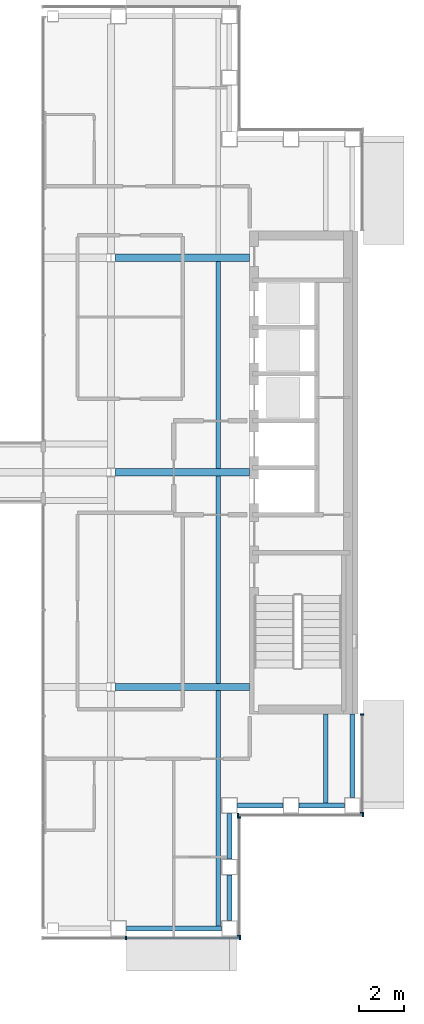
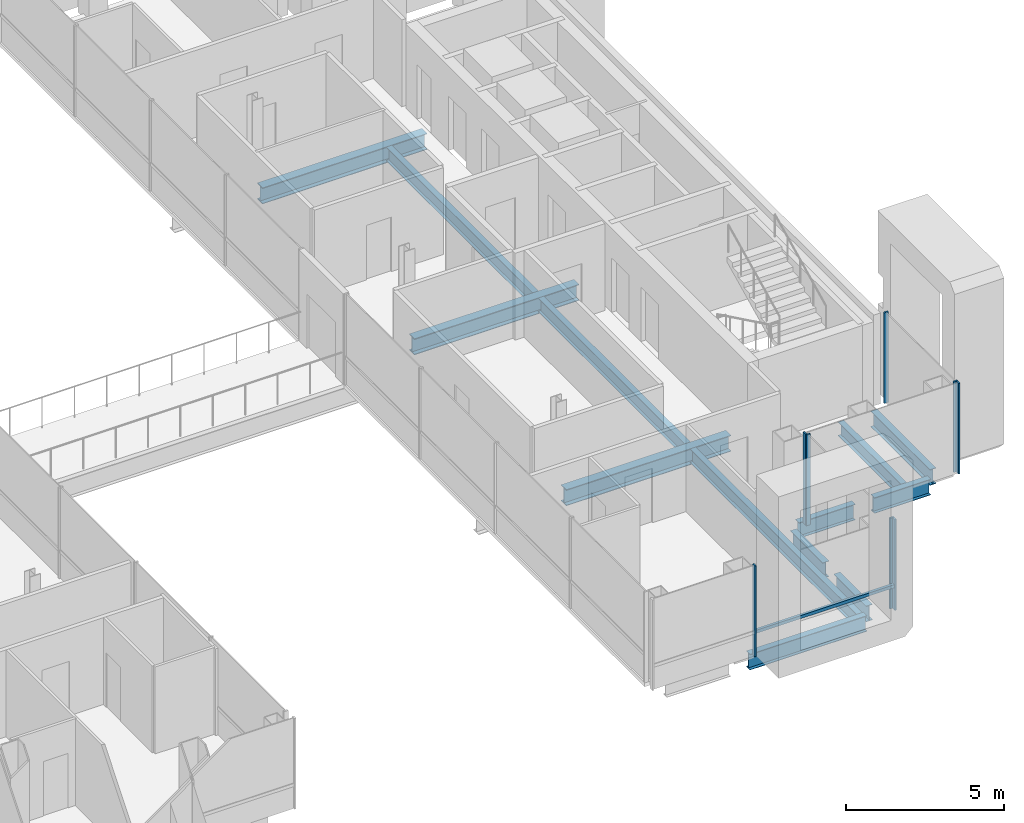
# One storey, part 6 of 17: 13 beams, 9 members, 4 elements without a shape of their own.
"""IFC4 building model written with IfcOpenShell, lengths in metres."""

from ifc_helpers import new_model, si_unit, direction, frame, origin, origin_2d, place, context, subcontext, project, spatial, rectangle, i_section, extrude, material, material_profile, profile_set, type_object, element, aggregate, save


model = new_model("IFC4")

# Units and contexts
model_context = context("Model", 3, precision=1e-05, world=origin(), true_north=direction((0.0, 1.0)))
body_context = subcontext(model_context, "Body", "Model", "MODEL_VIEW")
ifc_project = project(units=[si_unit("LENGTHUNIT", "METRE"), si_unit("AREAUNIT", "SQUARE_METRE"), si_unit("VOLUMEUNIT", "CUBIC_METRE"), si_unit("PLANEANGLEUNIT", "RADIAN"), si_unit("MASSUNIT", "GRAM", prefix="KILO")], contexts=[model_context])

# Site, building, storey
site_placement = place(None, origin())
site = spatial("IfcSite", under=ifc_project, at=site_placement, CompositionType="ELEMENT")
building_placement = place(site_placement, origin())
building = spatial("IfcBuilding", under=site, at=building_placement, Name="Cobrizo Arcos Hotel Tower", CompositionType="ELEMENT")
storey_placement = place(building_placement, frame((0.0, 0.0, 226.0)))
storey = spatial("IfcBuildingStorey", under=building, at=storey_placement, Name="L59", CompositionType="ELEMENT", Elevation=226.0)

# Curtain wall, members
ifc_material_1 = material(Name="Aluminium 6063-T6 anodised bronze", Category="aluminium")
curtain_wall_type = type_object("IfcCurtainWallType", Name="CW-A guest facade", PredefinedType="NOTDEFINED", material=ifc_material_1)
curtain_wall_1_placement = place(storey_placement, origin())
curtain_wall_1 = element("IfcCurtainWall", 1, at=curtain_wall_1_placement, inside=storey, type_object=curtain_wall_type, Name="CW-A L59 S face", PredefinedType="NOTDEFINED")
ifc_material_profile_1 = material_profile(ifc_material_1, rectangle(XDim=0.14990234375, YDim=0.06005859375, at=origin_2d()), Name="CW-A mullion 150x60")
ifc_profile_set_1 = profile_set([ifc_material_profile_1], Name="Aluminium 6063-T6 anodised bronze")
member_type_1 = type_object("IfcMemberType", Name="CW-A mullion 150x60", PredefinedType="MULLION", material=ifc_profile_set_1)
member_1_placement = place(storey_placement, frame((10.2666015625, -20.824951171875, 0.0), z_axis=(0.0, 0.0, 1.0), x_axis=(0.0, -1.0, 0.0)))
member_1 = element("IfcMember", 2, at=member_1_placement, type_object=member_type_1, Name="CW-A mullion 2", PredefinedType="MULLION", context=body_context, shape_type="SweptSolid", body=[
    extrude(rectangle(XDim=0.14990234375, YDim=0.06005859375, at=origin_2d()), origin(), (0.0, 0.0, 1.0), 3.5),
])
member_2_placement = place(storey_placement, frame((15.3701171875, -20.824951171875, 0.0), z_axis=(0.0, 0.0, 1.0), x_axis=(0.0, -1.0, 0.0)))
member_2 = element("IfcMember", 3, at=member_2_placement, type_object=member_type_1, Name="CW-A mullion 3", PredefinedType="MULLION", context=body_context, shape_type="SweptSolid", body=[
    extrude(rectangle(XDim=0.14990234375, YDim=0.06005859375, at=origin_2d()), origin(), (0.0, 0.0, 1.0), 3.5),
])

curtain_wall_2_placement = place(storey_placement, origin())
curtain_wall_2 = element("IfcCurtainWall", 4, at=curtain_wall_2_placement, inside=storey, type_object=curtain_wall_type, Name="CW-A L59 E face", PredefinedType="NOTDEFINED")
member_3_placement = place(storey_placement, frame((15.324951171875, -20.719970703125, 0.0), z_axis=(0.0, 0.0, 1.0), x_axis=(1.0, 0.0, 0.0)))
member_3 = element("IfcMember", 5, at=member_3_placement, type_object=member_type_1, Name="CW-A mullion 1", PredefinedType="MULLION", context=body_context, shape_type="SweptSolid", body=[
    extrude(rectangle(XDim=0.14990234375, YDim=0.06005859375, at=origin_2d()), origin(), (0.0, 0.0, 1.0), 3.5),
])
member_4_placement = place(storey_placement, frame((15.324951171875, -15.429931640625, 0.0), z_axis=(0.0, 0.0, 1.0), x_axis=(1.0, 0.0, 0.0)))
member_4 = element("IfcMember", 6, at=member_4_placement, type_object=member_type_1, Name="CW-A mullion 2", PredefinedType="MULLION", context=body_context, shape_type="SweptSolid", body=[
    extrude(rectangle(XDim=0.14990234375, YDim=0.06005859375, at=origin_2d()), origin(), (0.0, 0.0, 1.0), 3.5),
])
aggregate(curtain_wall_2, [member_3, member_4])

curtain_wall_3_placement = place(storey_placement, origin())
curtain_wall_3 = element("IfcCurtainWall", 7, at=curtain_wall_3_placement, inside=storey, type_object=curtain_wall_type, Name="CW-A L59 S face", PredefinedType="NOTDEFINED")
member_5_placement = place(storey_placement, frame((15.280029296875, -15.324951171875, 0.0), z_axis=(0.0, 0.0, 1.0), x_axis=(0.0, -1.0, 0.0)))
member_5 = element("IfcMember", 8, at=member_5_placement, type_object=member_type_1, Name="CW-A mullion 1", PredefinedType="MULLION", context=body_context, shape_type="SweptSolid", body=[
    extrude(rectangle(XDim=0.14990234375, YDim=0.06005859375, at=origin_2d()), origin(), (0.0, 0.0, 1.0), 3.5),
])
member_6_placement = place(storey_placement, frame((20.8701171875, -15.324951171875, 0.0), z_axis=(0.0, 0.0, 1.0), x_axis=(0.0, -1.0, 0.0)))
member_6 = element("IfcMember", 9, at=member_6_placement, type_object=member_type_1, Name="CW-A mullion 2", PredefinedType="MULLION", context=body_context, shape_type="SweptSolid", body=[
    extrude(rectangle(XDim=0.14990234375, YDim=0.06005859375, at=origin_2d()), origin(), (0.0, 0.0, 1.0), 3.5),
])
aggregate(curtain_wall_3, [member_5, member_6])

curtain_wall_4_placement = place(storey_placement, origin())
curtain_wall_4 = element("IfcCurtainWall", 10, at=curtain_wall_4_placement, inside=storey, type_object=curtain_wall_type, Name="CW-A L59 E face", PredefinedType="NOTDEFINED")
member_7_placement = place(storey_placement, frame((20.824951171875, -15.219970703125, 0.0), z_axis=(0.0, 0.0, 1.0), x_axis=(1.0, 0.0, 0.0)))
member_7 = element("IfcMember", 11, at=member_7_placement, type_object=member_type_1, Name="CW-A mullion 1", PredefinedType="MULLION", context=body_context, shape_type="SweptSolid", body=[
    extrude(rectangle(XDim=0.14990234375, YDim=0.06005859375, at=origin_2d()), origin(), (0.0, 0.0, 1.0), 3.5),
])
member_8_placement = place(storey_placement, frame((20.824951171875, -10.830078125, 0.0), z_axis=(0.0, 0.0, 1.0), x_axis=(1.0, 0.0, 0.0)))
member_8 = element("IfcMember", 12, at=member_8_placement, type_object=member_type_1, Name="CW-A mullion 2", PredefinedType="MULLION", context=body_context, shape_type="SweptSolid", body=[
    extrude(rectangle(XDim=0.14990234375, YDim=0.06005859375, at=origin_2d()), origin(), (0.0, 0.0, 1.0), 3.5),
])
aggregate(curtain_wall_4, [member_7, member_8])

# Member
ifc_material_profile_2 = material_profile(ifc_material_1, rectangle(XDim=0.10009765625, YDim=0.1201171875, at=origin_2d()), Name="CW-A transom 120x100")
ifc_profile_set_2 = profile_set([ifc_material_profile_2], Name="Aluminium 6063-T6 anodised bronze")
member_type_2 = type_object("IfcMemberType", Name="CW-A transom 120x100", PredefinedType="USERDEFINED", material=ifc_profile_set_2)
member_9_placement = place(storey_placement, frame((10.296630859375, -20.824951171875, 0.929931640625), z_axis=(1.0, 0.0, 0.0), x_axis=(0.0, 1.0, 0.0)))
member_9 = element("IfcMember", 13, at=member_9_placement, type_object=member_type_2, Name="CW-A transom 1931", ObjectType="TRANSOM", PredefinedType="USERDEFINED", context=body_context, shape_type="SweptSolid", body=[
    extrude(rectangle(XDim=0.10009765625, YDim=0.1201171875, at=origin_2d()), origin(), (0.0, 0.0, 1.0), 5.04345703125),
])

aggregate(curtain_wall_1, [member_1, member_2, member_9])

# Beams
ifc_material_2 = material(Name="Steel ASTM A992 Grade 50", Category="steel")
ifc_material_profile_3 = material_profile(ifc_material_2, i_section(OverallWidth=0.209228515625, OverallDepth=0.533447265625, WebThickness=0.01025390625, FlangeThickness=0.015625, at=origin_2d()), Name="W21X62")
ifc_profile_set_3 = profile_set([ifc_material_profile_3], Name="Steel ASTM A992 Grade 50")
beam_type_1 = type_object("IfcBeamType", Name="W21X62 joist", PredefinedType="JOIST", material=ifc_profile_set_3)
beam_1_placement = place(storey_placement, frame((14.39990234375, -20.31005859375, -0.416748046875), z_axis=(0.0, 1.0, 0.0), x_axis=(-1.0, 0.0, 0.0)))
element("IfcBeam", 14, at=beam_1_placement, inside=storey, type_object=beam_type_1, Name="Floor joist J1, L59, no. 007", PredefinedType="JOIST", context=body_context, shape_type="SweptSolid", body=[
    extrude(i_section(OverallWidth=0.209228515625, OverallDepth=0.533447265625, WebThickness=0.01025390625, FlangeThickness=0.015625, at=origin_2d()), origin(), (0.0, 0.0, 1.0), 10.546142578125),
])
for number, where, z_axis, x_axis, name in (
    (15, (14.39990234375, -9.43603515625, -0.416748046875), (0.0, 1.0, 0.0), (-1.0, 0.0, 0.0), "Floor joist J1, L59, no. 008"),
    (16, (14.39990234375, 0.163818359375, -0.416748046875), (0.0, 1.0, 0.0), (-1.0, 0.0, 0.0), "Floor joist J1, L59, no. 009"),
):
    element("IfcBeam", number, at=place(storey_placement, frame(where, z_axis=z_axis, x_axis=x_axis)), inside=storey, type_object=beam_type_1, Name=name, PredefinedType="JOIST", context=body_context, shape_type="SweptSolid", body=[
        extrude(i_section(OverallWidth=0.209228515625, OverallDepth=0.533447265625, WebThickness=0.01025390625, FlangeThickness=0.015625, at=origin_2d()), origin(), (0.0, 0.0, 1.0), 9.272216796875),
    ])
beam_2_placement = place(storey_placement, frame((19.199951171875, -14.81005859375, -0.416748046875), z_axis=(0.0, 1.0, 0.0), x_axis=(-1.0, 0.0, 0.0)))
element("IfcBeam", 17, at=beam_2_placement, inside=storey, type_object=beam_type_1, Name="Floor joist J1, L59, no. 011", PredefinedType="JOIST", context=body_context, shape_type="SweptSolid", body=[
    extrude(i_section(OverallWidth=0.209228515625, OverallDepth=0.533447265625, WebThickness=0.01025390625, FlangeThickness=0.015625, at=origin_2d()), origin(), (0.0, 0.0, 1.0), 4.0),
])
ifc_material_profile_4 = material_profile(ifc_material_2, i_section(OverallWidth=0.32763671875, OverallDepth=0.622314453125, WebThickness=0.015380859375, FlangeThickness=0.0244140625, at=origin_2d()), Name="W24X131")
ifc_profile_set_4 = profile_set([ifc_material_profile_4], Name="Steel ASTM A992 Grade 50")
beam_type_2 = type_object("IfcBeamType", Name="W24X131 girder", PredefinedType="BEAM", material=ifc_profile_set_4)
for number, where, z_axis, x_axis, name in (
    (18, (9.78662109375, -9.60009765625, -0.461181640625), (1.0, 0.0, 0.0), (0.0, 1.0, 0.0), "Floor girder G1, L59, no. 004"),
    (19, (9.78662109375, 0.0, -0.461181640625), (1.0, 0.0, 0.0), (0.0, 1.0, 0.0), "Floor girder G1, L59, no. 007"),
    (20, (9.78662109375, 9.60009765625, -0.461181640625), (1.0, 0.0, 0.0), (0.0, 1.0, 0.0), "Floor girder G1, L59, no. 011"),
):
    element("IfcBeam", number, at=place(storey_placement, frame(where, z_axis=z_axis, x_axis=x_axis)), inside=storey, type_object=beam_type_2, Name=name, PredefinedType="BEAM", context=body_context, shape_type="SweptSolid", body=[
        extrude(i_section(OverallWidth=0.32763671875, OverallDepth=0.622314453125, WebThickness=0.015380859375, FlangeThickness=0.0244140625, at=origin_2d()), origin(), (0.0, 0.0, 1.0), 6.00341796875),
    ])
ifc_material_profile_5 = material_profile(ifc_material_2, i_section(OverallWidth=0.228271484375, OverallDepth=0.607177734375, WebThickness=0.01123046875, FlangeThickness=0.017333984375, at=origin_2d()), Name="W24X76")
ifc_profile_set_5 = profile_set([ifc_material_profile_5], Name="Steel ASTM A992 Grade 50")
beam_type_3 = type_object("IfcBeamType", Name="W24X76 spandrel", PredefinedType="SPANDREL", material=ifc_profile_set_5)
beam_3_placement = place(storey_placement, frame((20.39990234375, -10.81005859375, -0.45361328125), z_axis=(0.0, -1.0, 0.0), x_axis=(1.0, 0.0, 0.0)))
element("IfcBeam", 21, at=beam_3_placement, inside=storey, type_object=beam_type_3, Name="Spandrel beam W24X76, L59, no. 004", PredefinedType="SPANDREL", context=body_context, shape_type="SweptSolid", body=[
    extrude(i_section(OverallWidth=0.228271484375, OverallDepth=0.607177734375, WebThickness=0.01123046875, FlangeThickness=0.017333984375, at=origin_2d()), origin(), (0.0, 0.0, 1.0), 3.739990234375),
])
for number, where, z_axis, x_axis, name in (
    (22, (20.050048828125, -14.89990234375, -0.45361328125), (-1.0, 0.0, 0.0), (0.0, -1.0, 0.0), "Spandrel beam W24X76, L59, no. 005"),
    (23, (17.300048828125, -14.89990234375, -0.45361328125), (-1.0, 0.0, 0.0), (0.0, -1.0, 0.0), "Spandrel beam W24X76, L59, no. 006"),
    (24, (14.89990234375, -15.25, -0.45361328125), (0.0, -1.0, 0.0), (1.0, 0.0, 0.0), "Spandrel beam W24X76, L59, no. 007"),
    (25, (14.89990234375, -18.0, -0.45361328125), (0.0, -1.0, 0.0), (1.0, 0.0, 0.0), "Spandrel beam W24X76, L59, no. 008"),
):
    element("IfcBeam", number, at=place(storey_placement, frame(where, z_axis=z_axis, x_axis=x_axis)), inside=storey, type_object=beam_type_3, Name=name, PredefinedType="SPANDREL", context=body_context, shape_type="SweptSolid", body=[
        extrude(i_section(OverallWidth=0.228271484375, OverallDepth=0.607177734375, WebThickness=0.01123046875, FlangeThickness=0.017333984375, at=origin_2d()), origin(), (0.0, 0.0, 1.0), 2.050048828125),
    ])
beam_4_placement = place(storey_placement, frame((14.550048828125, -20.39990234375, -0.45361328125), z_axis=(-1.0, 0.0, 0.0), x_axis=(0.0, -1.0, 0.0)))
element("IfcBeam", 26, at=beam_4_placement, inside=storey, type_object=beam_type_3, Name="Spandrel beam W24X76, L59, no. 009", PredefinedType="SPANDREL", context=body_context, shape_type="SweptSolid", body=[
    extrude(i_section(OverallWidth=0.228271484375, OverallDepth=0.607177734375, WebThickness=0.01123046875, FlangeThickness=0.017333984375, at=origin_2d()), origin(), (0.0, 0.0, 1.0), 4.26708984375),
])

save(model, "model.ifc")
